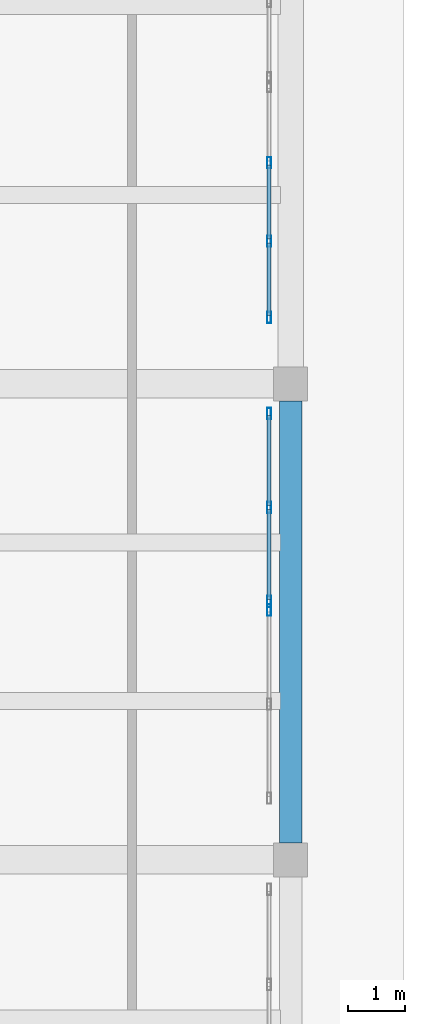
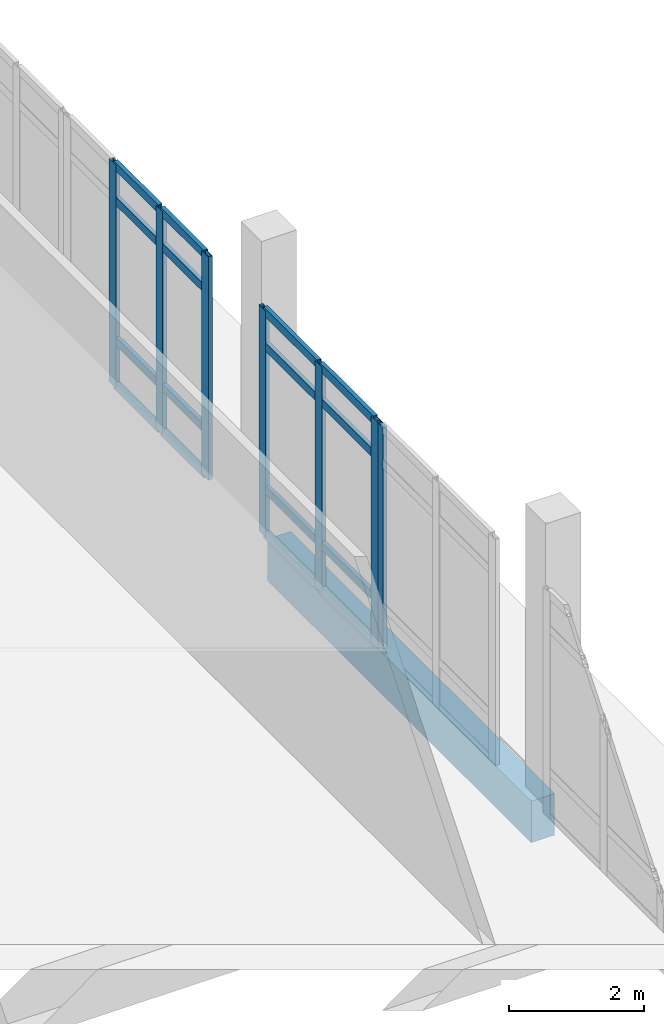
# One storey, part 35 of 64: 23 members, 1 beam, 3 elements without a shape of their own.
"""IFC4 building model written with IfcOpenShell, lengths in metres."""

from ifc_helpers import new_model, si_unit, derived_unit, direction, frame, origin, origin_2d, place, context, subcontext, project, spatial, rectangle, hollow_rectangle, extrude, material, layer, layer_set, material_profile, profile_set, type_object, element, aggregate, save


model = new_model("IFC4")

# Units and contexts
model_context = context("Model", 3, precision=1e-05, world=origin(), true_north=direction((0.0, 1.0)))
body_context = subcontext(model_context, "Body", "Model", "MODEL_VIEW")
ifc_project = project(units=[si_unit("LENGTHUNIT", "METRE"), si_unit("AREAUNIT", "SQUARE_METRE"), si_unit("VOLUMEUNIT", "CUBIC_METRE"), si_unit("PLANEANGLEUNIT", "RADIAN"), si_unit("MASSUNIT", "GRAM", prefix="KILO"), derived_unit("THERMALTRANSMITTANCEUNIT", [(si_unit("POWERUNIT", "WATT"), 1), (si_unit("LENGTHUNIT", "METRE"), -2), (si_unit("THERMODYNAMICTEMPERATUREUNIT", "KELVIN"), -1)])], contexts=[model_context])

# Site, building, storey
site_placement = place(None, origin())
site = spatial("IfcSite", under=ifc_project, at=site_placement, CompositionType="ELEMENT")
building_placement = place(site_placement, origin())
building = spatial("IfcBuilding", under=site, at=building_placement, Name="Elbkamm Science Centre", CompositionType="ELEMENT")
storey_placement = place(building_placement, origin())
storey = spatial("IfcBuildingStorey", under=building, at=storey_placement, Name="L00", CompositionType="ELEMENT", Elevation=0.0)

# Beam
ifc_material_1 = material(Name="Concrete C40/50", Category="concrete")
ifc_material_profile_1 = material_profile(ifc_material_1, rectangle(XDim=0.39990234375, YDim=0.75, at=origin_2d()), Name="RC 400x750")
ifc_profile_set_1 = profile_set([ifc_material_profile_1], Name="Concrete C40/50")
beam_type = type_object("IfcBeamType", Name="BM-RC-400x750", PredefinedType="BEAM", material=ifc_profile_set_1)
beam_placement = place(storey_placement, frame((160.800048828125, 92.699951171875, -0.675048828125), z_axis=(0.0, 1.0, 0.0), x_axis=(-1.0, 0.0, 0.0)))
element("IfcBeam", 1, at=beam_placement, inside=storey, type_object=beam_type, Name="L00 Primary Y-Girder 086", PredefinedType="BEAM", context=body_context, shape_type="SweptSolid", body=[
    extrude(rectangle(XDim=0.39990234375, YDim=0.75, at=origin_2d()), origin(), (0.0, 0.0, 1.0), 7.800048828125),
])

# Curtain wall, members
ifc_material_2 = material(Name="Powder-coated aluminium and triple low-E glazing", Category="aluminium")
ifc_layer_1 = layer(ifc_material_2, 0.159912109375)
ifc_layer_set_1 = layer_set([ifc_layer_1], Name="Powder-coated aluminium and triple low-E glazing")
curtain_wall_type_1 = type_object("IfcCurtainWallType", Name="CW-UNIT-4140x4040", PredefinedType="USERDEFINED", material=ifc_layer_set_1)
curtain_wall_1_placement = place(storey_placement, origin())
curtain_wall_1 = element("IfcCurtainWall", 2, at=curtain_wall_1_placement, inside=storey, type_object=curtain_wall_type_1, Name="L00 Unitised Curtain Wall 115", ObjectType="UNITISED CURTAIN WALL", PredefinedType="USERDEFINED")
ifc_material_3 = material(Name="Powder-coated aluminium EN AW-6060", Category="aluminium")
ifc_material_profile_2 = material_profile(ifc_material_3, hollow_rectangle(XDim=0.070068359375, YDim=0.199951171875, WallThickness=0.00439453125, at=origin_2d()), Name="ALU M70x200")
ifc_profile_set_2 = profile_set([ifc_material_profile_2], Name="Powder-coated aluminium EN AW-6060")
member_type_1 = type_object("IfcMemberType", Name="CW-MUL-70x200", PredefinedType="MULLION", material=ifc_profile_set_2)
member_1_placement = place(storey_placement, frame((160.419921875, 104.701904296875, 0.0), z_axis=(0.0, 0.0, 1.0), x_axis=(1.0, 0.0, 0.0)))
member_1 = element("IfcMember", 3, at=member_1_placement, type_object=member_type_1, Name="CW-057 mullion 2", PredefinedType="MULLION", context=body_context, shape_type="SweptSolid", body=[
    extrude(hollow_rectangle(XDim=0.070068359375, YDim=0.199951171875, WallThickness=0.00439453125, at=origin_2d()), origin(), (0.0, 0.0, 1.0), 4.030029296875),
])
member_2_placement = place(storey_placement, frame((160.419921875, 103.31884765625, 0.0), z_axis=(0.0, 0.0, 1.0), x_axis=(1.0, 0.0, 0.0)))
member_2 = element("IfcMember", 4, at=member_2_placement, type_object=member_type_1, Name="CW-057 mullion 3", PredefinedType="MULLION", context=body_context, shape_type="SweptSolid", body=[
    extrude(hollow_rectangle(XDim=0.070068359375, YDim=0.199951171875, WallThickness=0.00439453125, at=origin_2d()), origin(), (0.0, 0.0, 1.0), 4.030029296875),
])
member_3_placement = place(storey_placement, frame((160.419921875, 101.970947265625, 0.0), z_axis=(0.0, 0.0, 1.0), x_axis=(1.0, 0.0, 0.0)))
member_3 = element("IfcMember", 5, at=member_3_placement, type_object=member_type_1, Name="CW-057 mullion 4", PredefinedType="MULLION", context=body_context, shape_type="SweptSolid", body=[
    extrude(hollow_rectangle(XDim=0.070068359375, YDim=0.199951171875, WallThickness=0.00439453125, at=origin_2d()), origin(), (0.0, 0.0, 1.0), 4.030029296875),
])

ifc_layer_2 = layer(ifc_material_2, 0.159912109375)
ifc_layer_set_2 = layer_set([ifc_layer_2], Name="Powder-coated aluminium and triple low-E glazing")
curtain_wall_type_2 = type_object("IfcCurtainWallType", Name="CW-UNIT-3400x4080", PredefinedType="USERDEFINED", material=ifc_layer_set_2)
curtain_wall_2_placement = place(storey_placement, origin())
curtain_wall_2 = element("IfcCurtainWall", 6, at=curtain_wall_2_placement, inside=storey, type_object=curtain_wall_type_2, Name="L00 Unitised Curtain Wall 116", ObjectType="UNITISED CURTAIN WALL", PredefinedType="USERDEFINED")
member_4_placement = place(storey_placement, frame((160.419921875, 100.27880859375, 0.0), z_axis=(0.0, 0.0, 1.0), x_axis=(1.0, 0.0, 0.0)))
member_4 = element("IfcMember", 7, at=member_4_placement, type_object=member_type_1, Name="CW-058 mullion 1", PredefinedType="MULLION", context=body_context, shape_type="SweptSolid", body=[
    extrude(hollow_rectangle(XDim=0.070068359375, YDim=0.199951171875, WallThickness=0.00439453125, at=origin_2d()), origin(), (0.0, 0.0, 1.0), 4.080078125),
])
member_5_placement = place(storey_placement, frame((160.419921875, 98.6181640625, 0.0), z_axis=(0.0, 0.0, 1.0), x_axis=(1.0, 0.0, 0.0)))
member_5 = element("IfcMember", 8, at=member_5_placement, type_object=member_type_1, Name="CW-058 mullion 2", PredefinedType="MULLION", context=body_context, shape_type="SweptSolid", body=[
    extrude(hollow_rectangle(XDim=0.070068359375, YDim=0.199951171875, WallThickness=0.00439453125, at=origin_2d()), origin(), (0.0, 0.0, 1.0), 4.080078125),
])
member_6_placement = place(storey_placement, frame((160.419921875, 96.957763671875, 0.0), z_axis=(0.0, 0.0, 1.0), x_axis=(1.0, 0.0, 0.0)))
member_6 = element("IfcMember", 9, at=member_6_placement, type_object=member_type_1, Name="CW-058 mullion 3", PredefinedType="MULLION", context=body_context, shape_type="SweptSolid", body=[
    extrude(hollow_rectangle(XDim=0.070068359375, YDim=0.199951171875, WallThickness=0.00439453125, at=origin_2d()), origin(), (0.0, 0.0, 1.0), 4.080078125),
])

# Curtain wall, member
curtain_wall_3_placement = place(storey_placement, origin())
curtain_wall_3 = element("IfcCurtainWall", 10, at=curtain_wall_3_placement, inside=storey, type_object=curtain_wall_type_2, Name="L00 Unitised Curtain Wall 117", ObjectType="UNITISED CURTAIN WALL", PredefinedType="USERDEFINED")
member_7_placement = place(storey_placement, frame((160.419921875, 96.807861328125, 0.0), z_axis=(0.0, 0.0, 1.0), x_axis=(1.0, 0.0, 0.0)))
member_7 = element("IfcMember", 11, at=member_7_placement, type_object=member_type_1, Name="CW-058 mullion 1", PredefinedType="MULLION", context=body_context, shape_type="SweptSolid", body=[
    extrude(hollow_rectangle(XDim=0.070068359375, YDim=0.199951171875, WallThickness=0.00439453125, at=origin_2d()), origin(), (0.0, 0.0, 1.0), 4.080078125),
])
aggregate(curtain_wall_3, [member_7])

# Member
ifc_material_profile_3 = material_profile(ifc_material_3, hollow_rectangle(XDim=0.070068359375, YDim=0.14990234375, WallThickness=0.00390625, at=origin_2d()), Name="ALU T70x150")
ifc_profile_set_3 = profile_set([ifc_material_profile_3], Name="Powder-coated aluminium EN AW-6060")
member_type_2 = type_object("IfcMemberType", Name="CW-TRN-70x150", PredefinedType="USERDEFINED", material=ifc_profile_set_3)
member_8_placement = place(storey_placement, frame((160.419921875, 104.6669921875, 0.034912109375), z_axis=(0.0, -1.0, 0.0), x_axis=(1.0, 0.0, 0.0)))
member_8 = element("IfcMember", 12, at=member_8_placement, type_object=member_type_2, Name="CW-057 transom 2.1", ObjectType="TRANSOM", PredefinedType="USERDEFINED", context=body_context, shape_type="SweptSolid", body=[
    extrude(hollow_rectangle(XDim=0.070068359375, YDim=0.14990234375, WallThickness=0.00390625, at=origin_2d()), origin(), (0.0, 0.0, 1.0), 1.31298828125),
])

member_9_placement = place(storey_placement, frame((160.419921875, 104.6669921875, 0.85009765625), z_axis=(0.0, -1.0, 0.0), x_axis=(1.0, 0.0, 0.0)))
member_9 = element("IfcMember", 13, at=member_9_placement, type_object=member_type_2, Name="CW-057 transom 2.2", ObjectType="TRANSOM", PredefinedType="USERDEFINED", context=body_context, shape_type="SweptSolid", body=[
    extrude(hollow_rectangle(XDim=0.070068359375, YDim=0.14990234375, WallThickness=0.00390625, at=origin_2d()), origin(), (0.0, 0.0, 1.0), 1.31298828125),
])

member_10_placement = place(storey_placement, frame((160.419921875, 104.6669921875, 3.3798828125), z_axis=(0.0, -1.0, 0.0), x_axis=(1.0, 0.0, 0.0)))
member_10 = element("IfcMember", 14, at=member_10_placement, type_object=member_type_2, Name="CW-057 transom 2.3", ObjectType="TRANSOM", PredefinedType="USERDEFINED", context=body_context, shape_type="SweptSolid", body=[
    extrude(hollow_rectangle(XDim=0.070068359375, YDim=0.14990234375, WallThickness=0.00390625, at=origin_2d()), origin(), (0.0, 0.0, 1.0), 1.31298828125),
])

member_11_placement = place(storey_placement, frame((160.419921875, 104.6669921875, 3.9951171875), z_axis=(0.0, -1.0, 0.0), x_axis=(1.0, 0.0, 0.0)))
member_11 = element("IfcMember", 15, at=member_11_placement, type_object=member_type_2, Name="CW-057 transom 2.4", ObjectType="TRANSOM", PredefinedType="USERDEFINED", context=body_context, shape_type="SweptSolid", body=[
    extrude(hollow_rectangle(XDim=0.070068359375, YDim=0.14990234375, WallThickness=0.00390625, at=origin_2d()), origin(), (0.0, 0.0, 1.0), 1.31298828125),
])

member_12_placement = place(storey_placement, frame((160.419921875, 103.283935546875, 0.034912109375), z_axis=(0.0, -1.0, 0.0), x_axis=(1.0, 0.0, 0.0)))
member_12 = element("IfcMember", 16, at=member_12_placement, type_object=member_type_2, Name="CW-057 transom 3.1", ObjectType="TRANSOM", PredefinedType="USERDEFINED", context=body_context, shape_type="SweptSolid", body=[
    extrude(hollow_rectangle(XDim=0.070068359375, YDim=0.14990234375, WallThickness=0.00390625, at=origin_2d()), origin(), (0.0, 0.0, 1.0), 1.27783203125),
])

member_13_placement = place(storey_placement, frame((160.419921875, 103.283935546875, 0.85009765625), z_axis=(0.0, -1.0, 0.0), x_axis=(1.0, 0.0, 0.0)))
member_13 = element("IfcMember", 17, at=member_13_placement, type_object=member_type_2, Name="CW-057 transom 3.2", ObjectType="TRANSOM", PredefinedType="USERDEFINED", context=body_context, shape_type="SweptSolid", body=[
    extrude(hollow_rectangle(XDim=0.070068359375, YDim=0.14990234375, WallThickness=0.00390625, at=origin_2d()), origin(), (0.0, 0.0, 1.0), 1.27783203125),
])

member_14_placement = place(storey_placement, frame((160.419921875, 103.283935546875, 3.3798828125), z_axis=(0.0, -1.0, 0.0), x_axis=(1.0, 0.0, 0.0)))
member_14 = element("IfcMember", 18, at=member_14_placement, type_object=member_type_2, Name="CW-057 transom 3.3", ObjectType="TRANSOM", PredefinedType="USERDEFINED", context=body_context, shape_type="SweptSolid", body=[
    extrude(hollow_rectangle(XDim=0.070068359375, YDim=0.14990234375, WallThickness=0.00390625, at=origin_2d()), origin(), (0.0, 0.0, 1.0), 1.27783203125),
])

member_15_placement = place(storey_placement, frame((160.419921875, 103.283935546875, 3.9951171875), z_axis=(0.0, -1.0, 0.0), x_axis=(1.0, 0.0, 0.0)))
member_15 = element("IfcMember", 19, at=member_15_placement, type_object=member_type_2, Name="CW-057 transom 3.4", ObjectType="TRANSOM", PredefinedType="USERDEFINED", context=body_context, shape_type="SweptSolid", body=[
    extrude(hollow_rectangle(XDim=0.070068359375, YDim=0.14990234375, WallThickness=0.00390625, at=origin_2d()), origin(), (0.0, 0.0, 1.0), 1.27783203125),
])

aggregate(curtain_wall_1, [member_1, member_2, member_3, member_8, member_9, member_10, member_11, member_12, member_13, member_14, member_15])

member_16_placement = place(storey_placement, frame((160.419921875, 100.24365234375, 0.034912109375), z_axis=(0.0, -1.0, 0.0), x_axis=(1.0, 0.0, 0.0)))
member_16 = element("IfcMember", 20, at=member_16_placement, type_object=member_type_2, Name="CW-058 transom 1.1", ObjectType="TRANSOM", PredefinedType="USERDEFINED", context=body_context, shape_type="SweptSolid", body=[
    extrude(hollow_rectangle(XDim=0.070068359375, YDim=0.14990234375, WallThickness=0.00390625, at=origin_2d()), origin(), (0.0, 0.0, 1.0), 1.59033203125),
])

member_17_placement = place(storey_placement, frame((160.419921875, 100.24365234375, 0.85009765625), z_axis=(0.0, -1.0, 0.0), x_axis=(1.0, 0.0, 0.0)))
member_17 = element("IfcMember", 21, at=member_17_placement, type_object=member_type_2, Name="CW-058 transom 1.2", ObjectType="TRANSOM", PredefinedType="USERDEFINED", context=body_context, shape_type="SweptSolid", body=[
    extrude(hollow_rectangle(XDim=0.070068359375, YDim=0.14990234375, WallThickness=0.00390625, at=origin_2d()), origin(), (0.0, 0.0, 1.0), 1.59033203125),
])

member_18_placement = place(storey_placement, frame((160.419921875, 100.24365234375, 3.429931640625), z_axis=(0.0, -1.0, 0.0), x_axis=(1.0, 0.0, 0.0)))
member_18 = element("IfcMember", 22, at=member_18_placement, type_object=member_type_2, Name="CW-058 transom 1.3", ObjectType="TRANSOM", PredefinedType="USERDEFINED", context=body_context, shape_type="SweptSolid", body=[
    extrude(hollow_rectangle(XDim=0.070068359375, YDim=0.14990234375, WallThickness=0.00390625, at=origin_2d()), origin(), (0.0, 0.0, 1.0), 1.59033203125),
])

member_19_placement = place(storey_placement, frame((160.419921875, 100.24365234375, 4.044921875), z_axis=(0.0, -1.0, 0.0), x_axis=(1.0, 0.0, 0.0)))
member_19 = element("IfcMember", 23, at=member_19_placement, type_object=member_type_2, Name="CW-058 transom 1.4", ObjectType="TRANSOM", PredefinedType="USERDEFINED", context=body_context, shape_type="SweptSolid", body=[
    extrude(hollow_rectangle(XDim=0.070068359375, YDim=0.14990234375, WallThickness=0.00390625, at=origin_2d()), origin(), (0.0, 0.0, 1.0), 1.59033203125),
])

member_20_placement = place(storey_placement, frame((160.419921875, 98.583251953125, 0.034912109375), z_axis=(0.0, -1.0, 0.0), x_axis=(1.0, 0.0, 0.0)))
member_20 = element("IfcMember", 24, at=member_20_placement, type_object=member_type_2, Name="CW-058 transom 2.1", ObjectType="TRANSOM", PredefinedType="USERDEFINED", context=body_context, shape_type="SweptSolid", body=[
    extrude(hollow_rectangle(XDim=0.070068359375, YDim=0.14990234375, WallThickness=0.00390625, at=origin_2d()), origin(), (0.0, 0.0, 1.0), 1.59033203125),
])

member_21_placement = place(storey_placement, frame((160.419921875, 98.583251953125, 0.85009765625), z_axis=(0.0, -1.0, 0.0), x_axis=(1.0, 0.0, 0.0)))
member_21 = element("IfcMember", 25, at=member_21_placement, type_object=member_type_2, Name="CW-058 transom 2.2", ObjectType="TRANSOM", PredefinedType="USERDEFINED", context=body_context, shape_type="SweptSolid", body=[
    extrude(hollow_rectangle(XDim=0.070068359375, YDim=0.14990234375, WallThickness=0.00390625, at=origin_2d()), origin(), (0.0, 0.0, 1.0), 1.59033203125),
])

member_22_placement = place(storey_placement, frame((160.419921875, 98.583251953125, 3.429931640625), z_axis=(0.0, -1.0, 0.0), x_axis=(1.0, 0.0, 0.0)))
member_22 = element("IfcMember", 26, at=member_22_placement, type_object=member_type_2, Name="CW-058 transom 2.3", ObjectType="TRANSOM", PredefinedType="USERDEFINED", context=body_context, shape_type="SweptSolid", body=[
    extrude(hollow_rectangle(XDim=0.070068359375, YDim=0.14990234375, WallThickness=0.00390625, at=origin_2d()), origin(), (0.0, 0.0, 1.0), 1.59033203125),
])

member_23_placement = place(storey_placement, frame((160.419921875, 98.583251953125, 4.044921875), z_axis=(0.0, -1.0, 0.0), x_axis=(1.0, 0.0, 0.0)))
member_23 = element("IfcMember", 27, at=member_23_placement, type_object=member_type_2, Name="CW-058 transom 2.4", ObjectType="TRANSOM", PredefinedType="USERDEFINED", context=body_context, shape_type="SweptSolid", body=[
    extrude(hollow_rectangle(XDim=0.070068359375, YDim=0.14990234375, WallThickness=0.00390625, at=origin_2d()), origin(), (0.0, 0.0, 1.0), 1.59033203125),
])

aggregate(curtain_wall_2, [member_4, member_5, member_6, member_16, member_17, member_18, member_19, member_20, member_21, member_22, member_23])

save(model, "model.ifc")
